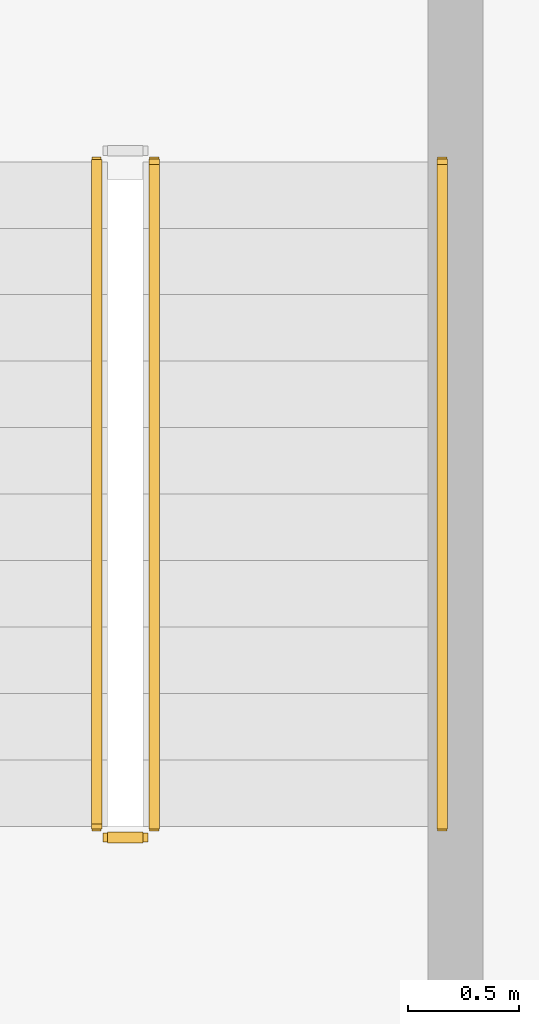
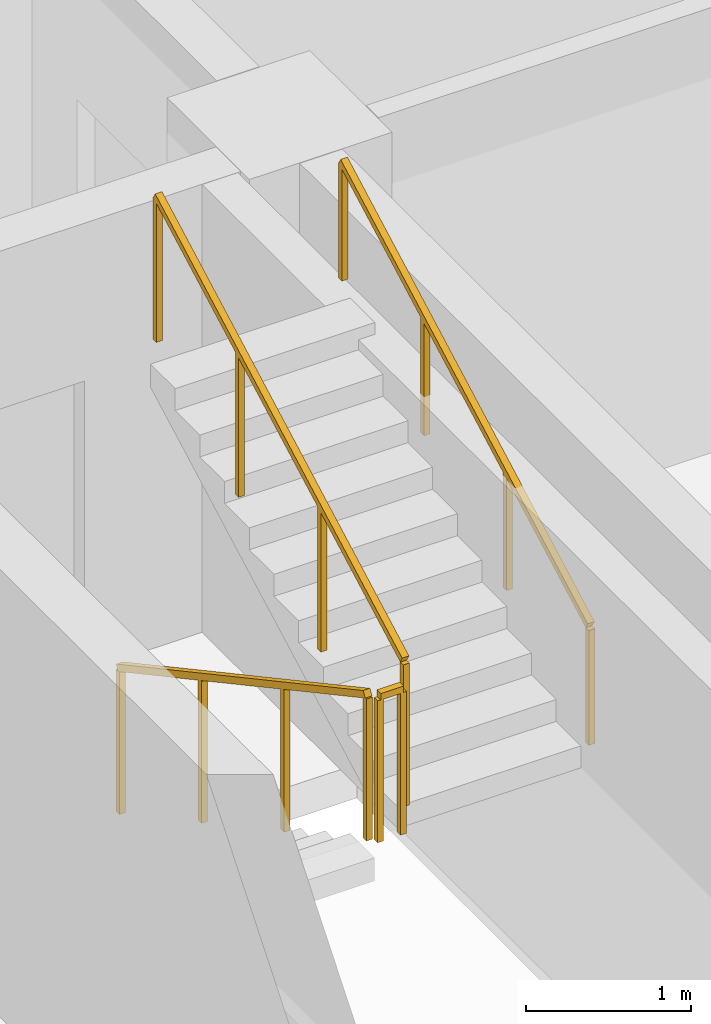
# One storey, part 16 of 20: 4 railings.
"""IFC4 building model written with IfcOpenShell, lengths in metres."""

from ifc_helpers import new_model, si_unit, direction, frame, origin, origin_2d, place, context, subcontext, project, spatial, rectangle, extrude, material, type_object, element, save


model = new_model("IFC4")

# Units and contexts
model_context = context("Model", 3, precision=1e-05, world=origin(), true_north=direction((0.0, 1.0)))
body_context = subcontext(model_context, "Body", "Model", "MODEL_VIEW")
ifc_project = project(units=[si_unit("LENGTHUNIT", "METRE"), si_unit("AREAUNIT", "SQUARE_METRE"), si_unit("VOLUMEUNIT", "CUBIC_METRE"), si_unit("PLANEANGLEUNIT", "RADIAN"), si_unit("MASSUNIT", "GRAM", prefix="KILO")], contexts=[model_context])

# Site, building, storey
site_placement = place(None, origin())
site = spatial("IfcSite", under=ifc_project, at=site_placement, CompositionType="ELEMENT")
building_placement = place(site_placement, origin())
building = spatial("IfcBuilding", under=site, at=building_placement, Name="Zulmaris Gate Convention Tower", CompositionType="ELEMENT")
storey_placement = place(building_placement, frame((0.0, 0.0, 146.33984375)))
storey = spatial("IfcBuildingStorey", under=building, at=storey_placement, Name="L37", CompositionType="ELEMENT", Elevation=146.33984375)

# Railings
ifc_material_1 = material(Name="Painted Galvanised Steel", Category="steel")
railing_type_1 = type_object("IfcRailingType", Name="RL-STG-1150", PredefinedType="GUARDRAIL", material=ifc_material_1)
railing_1_placement = place(storey_placement, frame((-13.27001953125, -2.0, 0.162353515625)))
element("IfcRailing", 1, at=railing_1_placement, inside=storey, type_object=railing_type_1, Name="L37 ST-1 stair guard 1", PredefinedType="GUARDRAIL", context=body_context, shape_type="SweptSolid", body=[
    extrude(rectangle(XDim=0.048095703125, YDim=0.048095703125, at=origin_2d()), frame((0.0, 0.0, 1.076171875), z_axis=(0.0, -0.879591569277, 0.475729619907), x_axis=(1.0, 0.0, 0.0)), (0.0, 0.0, 1.0), 3.41064453125),
    extrude(rectangle(XDim=0.0419921875, YDim=0.0419921875, at=origin_2d()), origin(), (0.0, 0.0, 1.0), 1.052001953125),
    extrude(rectangle(XDim=0.0419921875, YDim=0.0419921875, at=origin_2d()), frame((0.0, -1.0, 0.540771484375)), (0.0, 0.0, 1.0), 1.052001953125),
    extrude(rectangle(XDim=0.0419921875, YDim=0.0419921875, at=origin_2d()), frame((0.0, -2.0, 1.081787109375)), (0.0, 0.0, 1.0), 1.052001953125),
    extrude(rectangle(XDim=0.0419921875, YDim=0.0419921875, at=origin_2d()), frame((0.0, -3.0, 1.62255859375)), (0.0, 0.0, 1.0), 1.052001953125),
])
railing_2_placement = place(storey_placement, frame((-13.219970703125, -5.050048828125, 1.784912109375)))
element("IfcRailing", 2, at=railing_2_placement, inside=storey, type_object=railing_type_1, Name="L37 ST-1 stair guard 2", PredefinedType="GUARDRAIL", context=body_context, shape_type="SweptSolid", body=[
    extrude(rectangle(XDim=0.048095703125, YDim=0.048095703125, at=origin_2d()), frame((0.0, 0.0, 1.076171875), z_axis=(1.0, 0.0, 0.0), x_axis=(0.0, 1.0, 0.0)), (0.0, 0.0, 1.0), 0.159912109375),
    extrude(rectangle(XDim=0.0419921875, YDim=0.0419921875, at=origin_2d()), origin(), (0.0, 0.0, 1.0), 1.052001953125),
    extrude(rectangle(XDim=0.0419921875, YDim=0.0419921875, at=origin_2d()), frame((0.159912109375, 0.0, 0.0)), (0.0, 0.0, 1.0), 1.052001953125),
])
railing_3_placement = place(storey_placement, frame((-13.010009765625, -5.0, 1.947265625)))
element("IfcRailing", 3, at=railing_3_placement, inside=storey, type_object=railing_type_1, Name="L37 ST-1 stair guard 3", PredefinedType="GUARDRAIL", context=body_context, shape_type="SweptSolid", body=[
    extrude(rectangle(XDim=0.048095703125, YDim=0.048095703125, at=origin_2d()), frame((0.0, 0.0, 1.076171875), z_axis=(0.0, 0.8795616155, 0.475784998228), x_axis=(-1.0, 0.0, 0.0)), (0.0, 0.0, 1.0), 3.410888671875),
    extrude(rectangle(XDim=0.0419921875, YDim=0.0419921875, at=origin_2d()), origin(), (0.0, 0.0, 1.0), 1.052001953125),
    extrude(rectangle(XDim=0.0419921875, YDim=0.0419921875, at=origin_2d()), frame((0.0, 1.0, 0.541015625)), (0.0, 0.0, 1.0), 1.052001953125),
    extrude(rectangle(XDim=0.0419921875, YDim=0.0419921875, at=origin_2d()), frame((0.0, 2.0, 1.081787109375)), (0.0, 0.0, 1.0), 1.052001953125),
    extrude(rectangle(XDim=0.0419921875, YDim=0.0419921875, at=origin_2d()), frame((0.0, 3.0, 1.622802734375)), (0.0, 0.0, 1.0), 1.052001953125),
])
ifc_material_2 = material(Name="Brushed Stainless Steel", Category="steel")
railing_type_2 = type_object("IfcRailingType", Name="RL-STH-900", PredefinedType="HANDRAIL", material=ifc_material_2)
railing_4_placement = place(storey_placement, frame((-11.7099609375, -5.0, 1.947265625)))
element("IfcRailing", 4, at=railing_4_placement, inside=storey, type_object=railing_type_2, Name="L37 ST-1 stair handrail 2", PredefinedType="HANDRAIL", context=body_context, shape_type="SweptSolid", body=[
    extrude(rectangle(XDim=0.048095703125, YDim=0.048095703125, at=origin_2d()), frame((0.0, 0.0, 0.8759765625), z_axis=(0.0, 0.8795616155, 0.475784998228), x_axis=(-1.0, 0.0, 0.0)), (0.0, 0.0, 1.0), 3.410888671875),
    extrude(rectangle(XDim=0.0419921875, YDim=0.0419921875, at=origin_2d()), origin(), (0.0, 0.0, 1.0), 0.851806640625),
    extrude(rectangle(XDim=0.0419921875, YDim=0.0419921875, at=origin_2d()), frame((0.0, 1.0, 0.541015625)), (0.0, 0.0, 1.0), 0.851806640625),
    extrude(rectangle(XDim=0.0419921875, YDim=0.0419921875, at=origin_2d()), frame((0.0, 2.0, 1.081787109375)), (0.0, 0.0, 1.0), 0.851806640625),
    extrude(rectangle(XDim=0.0419921875, YDim=0.0419921875, at=origin_2d()), frame((0.0, 3.0, 1.622802734375)), (0.0, 0.0, 1.0), 0.851806640625),
])

save(model, "model.ifc")
